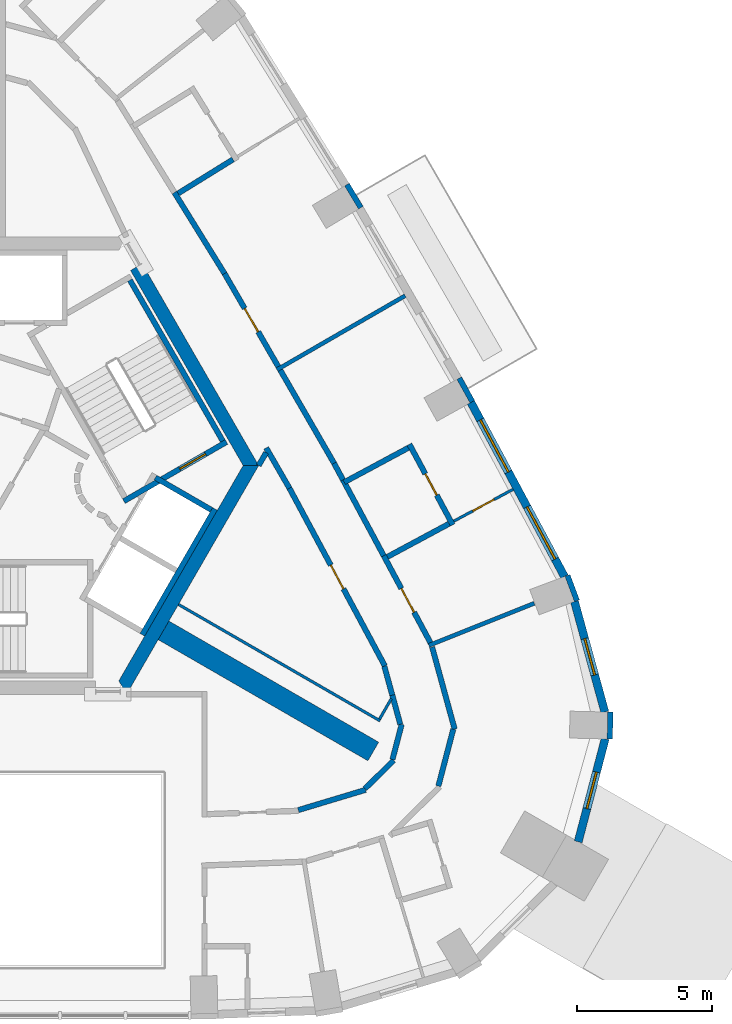
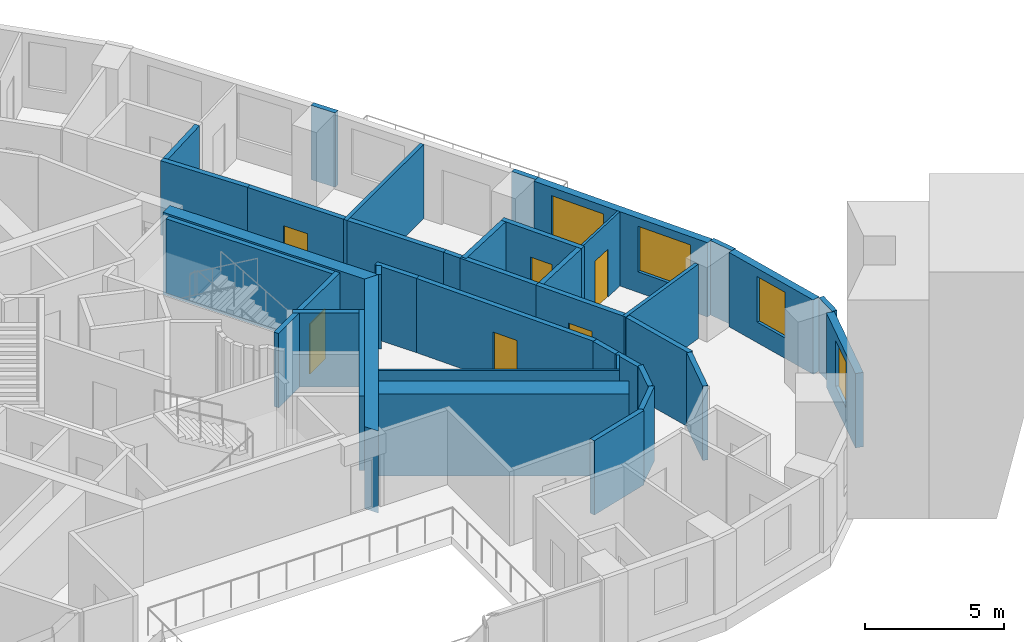
# One storey, part 7 of 11: 39 walls, 6 doors, 4 windows, 10 openings.
"""IFC4 building model written with IfcOpenShell, lengths in metres."""

from ifc_helpers import new_model, si_unit, direction, frame, frame_2d, origin, place, context, subcontext, project, spatial, polyline, rectangle, outline, extrude, material, layer, layer_set, type_object, element, fill, save


model = new_model("IFC4")

# Units and contexts
model_context = context("Model", 3, precision=1e-05, world=origin(), true_north=direction((0.0, 1.0)))
body_context = subcontext(model_context, "Body", "Model", "MODEL_VIEW")
ifc_project = project(units=[si_unit("LENGTHUNIT", "METRE"), si_unit("AREAUNIT", "SQUARE_METRE"), si_unit("VOLUMEUNIT", "CUBIC_METRE"), si_unit("PLANEANGLEUNIT", "RADIAN"), si_unit("MASSUNIT", "GRAM", prefix="KILO")], contexts=[model_context])

# Site, building, storey
site_placement = place(None, origin())
site = spatial("IfcSite", under=ifc_project, at=site_placement, CompositionType="ELEMENT")
building_placement = place(site_placement, origin())
building = spatial("IfcBuilding", under=site, at=building_placement, Name="Entoto Arch Interchange Tower", CompositionType="ELEMENT")
storey_placement = place(building_placement, frame((0.0, 0.0, 297.199951171875)))
storey = spatial("IfcBuildingStorey", under=building, at=storey_placement, Name="L69", CompositionType="ELEMENT", Elevation=297.199951171875)

# Walls
ifc_material_1 = material(Name="Concrete C40/50", Category="concrete")
ifc_layer_1 = layer(ifc_material_1, 0.800048828125)
ifc_layer_set_1 = layer_set([ifc_layer_1], Name="Concrete C40/50")
wall_type_1 = type_object("IfcWallType", Name="Buttress wall 800 C40/50", PredefinedType="SHEAR", material=ifc_layer_set_1)
wall_1_placement = place(storey_placement, frame((6.279052734375, -3.625, -0.33984375), z_axis=(0.0, 0.0, 1.0), x_axis=(0.866017533419, -0.500013631625, 0.0)))
element("IfcWall", 1, at=wall_1_placement, inside=storey, type_object=wall_type_1, Name="Buttress wall SE L69", PredefinedType="SHEAR", context=body_context, shape_type="SweptSolid", body=[
    extrude(rectangle(XDim=8.999755859375, YDim=0.800048828125, at=frame_2d((4.5, 0.0))), origin(), (0.0, 0.0, 1.0), 3.599853515625),
])
ifc_layer_2 = layer(ifc_material_1, 0.5)
ifc_layer_set_2 = layer_set([ifc_layer_2], Name="Concrete C40/50")
wall_type_2 = type_object("IfcWallType", Name="Core wall 500 C40/50", PredefinedType="SHEAR", material=ifc_layer_set_2)
wall_2_placement = place(storey_placement, frame((0.0, 0.0, -0.33984375)))
element("IfcWall", 2, at=wall_2_placement, inside=storey, type_object=wall_type_2, Name="Core wall NE L69", PredefinedType="SHEAR", context=body_context, shape_type="SweptSolid", body=[
    extrude(outline(polyline([(5.486083984375, 9.998046875), (5.052978515625, 9.748046875), (9.238037109375, 2.5), (9.81494140625, 2.5), (5.486083984375, 9.998046875)])), origin(), (0.0, 0.0, 1.0), 3.599853515625),
])
wall_3_placement = place(storey_placement, frame((0.0, 0.0, -0.33984375)))
element("IfcWall", 3, at=wall_3_placement, inside=storey, type_object=wall_type_2, Name="Core wall SE L69", PredefinedType="SHEAR", context=body_context, shape_type="SweptSolid", body=[
    extrude(outline(polyline([(4.906982421875, -6.0), (9.81494140625, 2.5), (9.238037109375, 2.5), (4.618896484375, -5.5), (4.906982421875, -6.0)])), origin(), (0.0, 0.0, 1.0), 3.599853515625),
])
ifc_layer_3 = layer(ifc_material_1, 0.199951171875)
ifc_layer_set_3 = layer_set([ifc_layer_3], Name="Concrete C40/50")
wall_type_3 = type_object("IfcWallType", Name="LIFT SHAFT WALL 200", PredefinedType="STANDARD", material=ifc_layer_set_3)
wall_4_placement = place(storey_placement, frame((5.491943359375, -3.7880859375, 0.0), z_axis=(0.0, 0.0, 1.0), x_axis=(0.500034260056, 0.866005622828, 0.0)))
element("IfcWall", 4, at=wall_4_placement, inside=storey, type_object=wall_type_3, Name="Shaft wall SE1 back", PredefinedType="STANDARD", context=body_context, shape_type="SweptSolid", body=[
    extrude(rectangle(XDim=5.3994140625, YDim=0.199951171875, at=frame_2d((2.69970703125, 0.0))), origin(), (0.0, 0.0, 1.0), 3.260009765625),
])
wall_5_placement = place(storey_placement, frame((5.97705078125, 2.052001953125, 0.0), z_axis=(0.0, 0.0, 1.0), x_axis=(0.865973769406, -0.500089422704, 0.0)))
element("IfcWall", 5, at=wall_5_placement, inside=storey, type_object=wall_type_3, Name="Shaft wall SE1 cross 3", PredefinedType="STANDARD", context=body_context, shape_type="SweptSolid", body=[
    extrude(rectangle(XDim=2.3994140625, YDim=0.199951171875, at=frame_2d((1.19970703125, 0.0))), origin(), (0.0, 0.0, 1.0), 3.260009765625),
])
ifc_material_2 = material(Name="Gypsum board partition on steel studs", Category="steel")
ifc_layer_4 = layer(ifc_material_2, 0.10009765625)
ifc_layer_set_4 = layer_set([ifc_layer_4], Name="Gypsum board partition on steel studs")
wall_type_4 = type_object("IfcWallType", Name="PARTITION 100", PredefinedType="PARTITIONING", material=ifc_layer_set_4)
wall_6_placement = place(storey_placement, frame((6.8349609375, -2.662109375, 0.0), z_axis=(0.0, 0.0, 1.0), x_axis=(0.866023427642, -0.500003422764, 0.0)))
element("IfcWall", 6, at=wall_6_placement, inside=storey, type_object=wall_type_4, Name="wall:L69:p083", PredefinedType="PARTITIONING", context=body_context, shape_type="SweptSolid", body=[
    extrude(rectangle(XDim=8.64990234375, YDim=0.10009765625, at=frame_2d((4.324951171875, 0.0))), origin(), (0.0, 0.0, 1.0), 3.260009765625),
])
wall_7_placement = place(storey_placement, frame((14.306884765625, -6.9189453125, 0.0), z_axis=(0.0, 0.0, 1.0), x_axis=(0.500305662732, 0.865848857387, 0.0)))
element("IfcWall", 7, at=wall_7_placement, inside=storey, type_object=wall_type_4, Name="wall:L69:p084", PredefinedType="PARTITIONING", context=body_context, shape_type="SweptSolid", body=[
    extrude(rectangle(XDim=0.86962890625, YDim=0.10009765625, at=frame_2d((0.434814453125, 0.0))), origin(), (0.0, 0.0, 1.0), 3.260009765625),
])

# Wall, opening, door
wall_8_placement = place(storey_placement, frame((17.06298828125, 0.431884765625, 0.0), z_axis=(0.0, 0.0, 1.0), x_axis=(0.881003472222, 0.473109799024, 0.0)))
wall_8 = element("IfcWall", 8, at=wall_8_placement, inside=storey, type_object=wall_type_4, Name="wall:L69:p099", PredefinedType="PARTITIONING", context=body_context, shape_type="SweptSolid", body=[
    extrude(rectangle(XDim=2.500732421875, YDim=0.10009765625, at=frame_2d((1.25048828125, 0.0))), origin(), (0.0, 0.0, 1.0), 3.260009765625),
])
opening_1_placement = place(wall_8_placement, frame((0.800048828125, 0.0, 0.0)))
opening_1 = element("IfcOpeningElement", 9, at=opening_1_placement, cuts=wall_8, Name="Opening L69-D07", PredefinedType="OPENING", context=body_context, shape_type="SweptSolid", body=[
    extrude(rectangle(XDim=0.89990234375, YDim=2.10009765625, at=frame_2d((0.449951171875, 1.050048828125))), frame((0.0, 0.06005859375, 0.0), z_axis=(0.0, -1.0, 0.0), x_axis=(1.0, 0.0, 0.0)), (0.0, 0.0, 1.0), 0.1201171875),
])
ifc_material_3 = material(Name="Timber door leaf in Steel S235 frame", Category="steel")
door_type_1 = type_object("IfcDoorType", Name="DOOR DS-09 900x2100", OperationType="SINGLE_SWING_LEFT", PredefinedType="DOOR", material=ifc_material_3)
door_1_placement = place(opening_1_placement, origin())
door_1 = element("IfcDoor", 10, at=door_1_placement, inside=storey, type_object=door_type_1, Name="door:L69:07", OperationType="SINGLE_SWING_LEFT", OverallHeight=2.10009765625, OverallWidth=0.89990234375, PredefinedType="DOOR", context=body_context, shape_type="SweptSolid", body=[
    extrude(rectangle(XDim=0.89990234375, YDim=2.10009765625, at=frame_2d((0.449951171875, 1.050048828125))), frame((0.0, 0.02490234375, 0.0), z_axis=(0.0, -1.0, 0.0), x_axis=(1.0, 0.0, 0.0)), (0.0, 0.0, 1.0), 0.050048828125),
])
fill(opening_1, door_1)

# Walls
ifc_layer_5 = layer(ifc_material_2, 0.14990234375)
ifc_layer_set_5 = layer_set([ifc_layer_5], Name="Gypsum board partition on steel studs")
wall_type_5 = type_object("IfcWallType", Name="PARTITION 150", PredefinedType="PARTITIONING", material=ifc_layer_set_5)
wall_9_placement = place(storey_placement, frame((16.137939453125, -4.18505859375, 0.0), z_axis=(0.0, 0.0, 1.0), x_axis=(0.928432751736, 0.371500505388, 0.0)))
element("IfcWall", 11, at=wall_9_placement, inside=storey, type_object=wall_type_5, Name="wall:L69:p098", PredefinedType="PARTITIONING", context=body_context, shape_type="SweptSolid", body=[
    extrude(rectangle(XDim=4.2158203125, YDim=0.14990234375, at=frame_2d((2.10791015625, 0.0))), origin(), (0.0, 0.0, 1.0), 3.260009765625),
])
wall_10_placement = place(storey_placement, frame((10.493896484375, 6.05908203125, 0.0), z_axis=(0.0, 0.0, 1.0), x_axis=(0.866027397988, 0.499996545922, 0.0)))
element("IfcWall", 12, at=wall_10_placement, inside=storey, type_object=wall_type_5, Name="wall:L69:p103", PredefinedType="PARTITIONING", context=body_context, shape_type="SweptSolid", body=[
    extrude(rectangle(XDim=5.5, YDim=0.14990234375, at=frame_2d((2.75, 0.0))), origin(), (0.0, 0.0, 1.0), 3.260009765625),
])
ifc_layer_6 = layer(ifc_material_2, 0.199951171875)
ifc_layer_set_6 = layer_set([ifc_layer_6], Name="Gypsum board partition on steel studs")
wall_type_6 = type_object("IfcWallType", Name="PARTITION 200", PredefinedType="PARTITIONING", material=ifc_layer_set_6)
wall_11_placement = place(storey_placement, frame((11.285888671875, -10.302978515625, 0.0), z_axis=(0.0, 0.0, 1.0), x_axis=(0.957555754851, 0.288248115955, 0.0)))
element("IfcWall", 13, at=wall_11_placement, inside=storey, type_object=wall_type_6, Name="wall:L69:p013", PredefinedType="PARTITIONING", context=body_context, shape_type="SweptSolid", body=[
    extrude(rectangle(XDim=2.612060546875, YDim=0.199951171875, at=frame_2d((1.30615234375, 0.0))), origin(), (0.0, 0.0, 1.0), 3.260009765625),
])
wall_12_placement = place(storey_placement, frame((13.761962890625, -9.509033203125, 0.0), z_axis=(0.0, 0.0, 1.0), x_axis=(0.710749293824, 0.703445407497, 0.0)))
element("IfcWall", 14, at=wall_12_placement, inside=storey, type_object=wall_type_6, Name="wall:L69:p014", PredefinedType="PARTITIONING", context=body_context, shape_type="SweptSolid", body=[
    extrude(rectangle(XDim=1.504150390625, YDim=0.199951171875, at=frame_2d((0.751953125, 0.0))), origin(), (0.0, 0.0, 1.0), 3.260009765625),
])
wall_13_placement = place(storey_placement, frame((14.784912109375, -8.425048828125, 0.0), z_axis=(0.0, 0.0, 1.0), x_axis=(0.253295121261, 0.967389053869, 0.0)))
element("IfcWall", 15, at=wall_13_placement, inside=storey, type_object=wall_type_6, Name="wall:L69:p015", PredefinedType="PARTITIONING", context=body_context, shape_type="SweptSolid", body=[
    extrude(rectangle(XDim=1.354248046875, YDim=0.199951171875, at=frame_2d((0.67724609375, 0.0))), origin(), (0.0, 0.0, 1.0), 3.260009765625),
])
wall_14_placement = place(storey_placement, frame((15.075927734375, -7.114990234375, 0.0), z_axis=(0.0, 0.0, 1.0), x_axis=(-0.264368116744, 0.964421846937, 0.0)))
element("IfcWall", 16, at=wall_14_placement, inside=storey, type_object=wall_type_6, Name="wall:L69:p016", PredefinedType="PARTITIONING", context=body_context, shape_type="SweptSolid", body=[
    extrude(rectangle(XDim=1.123046875, YDim=0.199951171875, at=frame_2d((0.5615234375, 0.0))), origin(), (0.0, 0.0, 1.0), 3.260009765625),
])
wall_15_placement = place(storey_placement, frame((14.779052734375, -6.031982421875, 0.0), z_axis=(0.0, 0.0, 1.0), x_axis=(-0.265740072272, 0.964044715762, 0.0)))
element("IfcWall", 17, at=wall_15_placement, inside=storey, type_object=wall_type_6, Name="wall:L69:p017", PredefinedType="PARTITIONING", context=body_context, shape_type="SweptSolid", body=[
    extrude(rectangle(XDim=1.1181640625, YDim=0.199951171875, at=frame_2d((0.55908203125, 0.0))), origin(), (0.0, 0.0, 1.0), 3.260009765625),
])

# Wall, opening, door
wall_16_placement = place(storey_placement, frame((14.5029296875, -4.946044921875, 0.0), z_axis=(0.0, 0.0, 1.0), x_axis=(-0.473101362557, 0.881008002658, 0.0)))
wall_16 = element("IfcWall", 18, at=wall_16_placement, inside=storey, type_object=wall_type_6, Name="wall:L69:p018", PredefinedType="PARTITIONING", context=body_context, shape_type="SweptSolid", body=[
    extrude(rectangle(XDim=7.4970703125, YDim=0.199951171875, at=frame_2d((3.74853515625, 0.0))), origin(), (0.0, 0.0, 1.0), 3.260009765625),
])
opening_2_placement = place(wall_16_placement, frame((3.2490234375, 0.0, 0.0)))
opening_2 = element("IfcOpeningElement", 19, at=opening_2_placement, cuts=wall_16, Name="Opening L69-D26", PredefinedType="OPENING", context=body_context, shape_type="SweptSolid", body=[
    extrude(rectangle(XDim=1.0, YDim=2.10009765625, at=frame_2d((0.5, 1.050048828125))), frame((0.0, 0.10986328125, 0.0), z_axis=(0.0, -1.0, 0.0), x_axis=(1.0, 0.0, 0.0)), (0.0, 0.0, 1.0), 0.219970703125),
])
door_type_2 = type_object("IfcDoorType", Name="DOOR DS-10 1000x2100", OperationType="SINGLE_SWING_LEFT", PredefinedType="DOOR", material=ifc_material_3)
door_2_placement = place(opening_2_placement, origin())
door_2 = element("IfcDoor", 20, at=door_2_placement, inside=storey, type_object=door_type_2, Name="door:L69:26", OperationType="SINGLE_SWING_LEFT", OverallHeight=2.10009765625, OverallWidth=1.0, PredefinedType="DOOR", context=body_context, shape_type="SweptSolid", body=[
    extrude(rectangle(XDim=1.0, YDim=2.10009765625, at=frame_2d((0.5, 1.050048828125))), frame((0.0, 0.02490234375, 0.0), z_axis=(0.0, -1.0, 0.0), x_axis=(1.0, 0.0, 0.0)), (0.0, 0.0, 1.0), 0.050048828125),
])
fill(opening_2, door_2)

# Walls
wall_17_placement = place(storey_placement, frame((10.9560546875, 1.658935546875, 0.0), z_axis=(0.0, 0.0, 1.0), x_axis=(-0.49992648901, 0.866067841215, 0.0)))
element("IfcWall", 21, at=wall_17_placement, inside=storey, type_object=wall_type_6, Name="wall:L69:p019", PredefinedType="PARTITIONING", context=body_context, shape_type="SweptSolid", body=[
    extrude(rectangle(XDim=1.726318359375, YDim=0.199951171875, at=frame_2d((0.86328125, 0.0))), origin(), (0.0, 0.0, 1.0), 3.260009765625),
])
wall_18_placement = place(storey_placement, frame((10.092041015625, 2.98095703125, 0.0), z_axis=(0.0, 0.0, 1.0), x_axis=(-0.501296484717, -0.865275582927, 0.0)))
element("IfcWall", 22, at=wall_18_placement, inside=storey, type_object=wall_type_6, Name="wall:L69:p020", PredefinedType="PARTITIONING", context=body_context, shape_type="SweptSolid", body=[
    extrude(rectangle(XDim=0.5546875, YDim=0.199951171875, at=frame_2d((0.27734375, 0.0))), origin(), (0.0, 0.0, 1.0), 3.260009765625),
])
wall_19_placement = place(storey_placement, frame((16.258056640625, -4.243896484375, 0.0), z_axis=(0.0, 0.0, 1.0), x_axis=(0.264930673246, -0.964267462053, 0.0)))
element("IfcWall", 23, at=wall_19_placement, inside=storey, type_object=wall_type_6, Name="wall:L69:p033", PredefinedType="PARTITIONING", context=body_context, shape_type="SweptSolid", body=[
    extrude(rectangle(XDim=3.166259765625, YDim=0.199951171875, at=frame_2d((1.5830078125, 0.0))), origin(), (0.0, 0.0, 1.0), 3.260009765625),
])
wall_20_placement = place(storey_placement, frame((17.044921875, -7.297119140625, 0.0), z_axis=(0.0, 0.0, 1.0), x_axis=(-0.253618393349, -0.967304352598, 0.0)))
element("IfcWall", 24, at=wall_20_placement, inside=storey, type_object=wall_type_6, Name="wall:L69:p034", PredefinedType="PARTITIONING", context=body_context, shape_type="SweptSolid", body=[
    extrude(rectangle(XDim=2.184326171875, YDim=0.199951171875, at=frame_2d((1.09228515625, 0.0))), origin(), (0.0, 0.0, 1.0), 3.260009765625),
])

# Wall, opening, door
wall_21_placement = place(storey_placement, frame((14.4609375, -0.85205078125, 0.0), z_axis=(0.0, 0.0, 1.0), x_axis=(0.473160180459, -0.88097641491, 0.0)))
wall_21 = element("IfcWall", 25, at=wall_21_placement, inside=storey, type_object=wall_type_6, Name="wall:L69:p036", PredefinedType="PARTITIONING", context=body_context, shape_type="SweptSolid", body=[
    extrude(rectangle(XDim=3.76611328125, YDim=0.199951171875, at=frame_2d((1.883056640625, 0.0))), origin(), (0.0, 0.0, 1.0), 3.260009765625),
])
opening_3_placement = place(wall_21_placement, frame((1.383056640625, 0.0, 0.0)))
opening_3 = element("IfcOpeningElement", 26, at=opening_3_placement, cuts=wall_21, Name="Opening L69-D06", PredefinedType="OPENING", context=body_context, shape_type="SweptSolid", body=[
    extrude(rectangle(XDim=1.0, YDim=2.10009765625, at=frame_2d((0.5, 1.050048828125))), frame((0.0, 0.10986328125, 0.0), z_axis=(0.0, -1.0, 0.0), x_axis=(1.0, 0.0, 0.0)), (0.0, 0.0, 1.0), 0.219970703125),
])
ifc_material_4 = material(Name="Fire-rated Steel S235 door and frame", Category="steel")
door_type_3 = type_object("IfcDoorType", Name="DOOR FD-10 1000x2100", OperationType="SINGLE_SWING_LEFT", PredefinedType="DOOR", material=ifc_material_4)
door_3_placement = place(opening_3_placement, origin())
door_3 = element("IfcDoor", 27, at=door_3_placement, inside=storey, type_object=door_type_3, Name="door:L69:06", OperationType="SINGLE_SWING_LEFT", OverallHeight=2.10009765625, OverallWidth=1.0, PredefinedType="DOOR", context=body_context, shape_type="SweptSolid", body=[
    extrude(rectangle(XDim=1.0, YDim=2.10009765625, at=frame_2d((0.5, 1.050048828125))), frame((0.0, 0.02490234375, 0.0), z_axis=(0.0, -1.0, 0.0), x_axis=(1.0, 0.0, 0.0)), (0.0, 0.0, 1.0), 0.050048828125),
])
fill(opening_3, door_3)

# Walls
wall_22_placement = place(storey_placement, frame((10.617919921875, 6.0439453125, 0.0), z_axis=(0.0, 0.0, 1.0), x_axis=(0.50008212199, -0.86597798544, 0.0)))
element("IfcWall", 28, at=wall_22_placement, inside=storey, type_object=wall_type_6, Name="wall:L69:p037", PredefinedType="PARTITIONING", context=body_context, shape_type="SweptSolid", body=[
    extrude(rectangle(XDim=3.995361328125, YDim=0.199951171875, at=frame_2d((1.99755859375, 0.0))), origin(), (0.0, 0.0, 1.0), 3.260009765625),
])
wall_23_placement = place(storey_placement, frame((12.615966796875, 2.583984375, 0.0), z_axis=(0.0, 0.0, 1.0), x_axis=(0.472830911699, -0.881153181315, 0.0)))
element("IfcWall", 29, at=wall_23_placement, inside=storey, type_object=wall_type_6, Name="wall:L69:p038", PredefinedType="PARTITIONING", context=body_context, shape_type="SweptSolid", body=[
    extrude(rectangle(XDim=0.7001953125, YDim=0.199951171875, at=frame_2d((0.35009765625, 0.0))), origin(), (0.0, 0.0, 1.0), 3.260009765625),
])
wall_24_placement = place(storey_placement, frame((12.947021484375, 1.967041015625, 0.0), z_axis=(0.0, 0.0, 1.0), x_axis=(0.473116768279, -0.88099972961, 0.0)))
element("IfcWall", 30, at=wall_24_placement, inside=storey, type_object=wall_type_6, Name="wall:L69:p039", PredefinedType="PARTITIONING", context=body_context, shape_type="SweptSolid", body=[
    extrude(rectangle(XDim=3.199951171875, YDim=0.199951171875, at=frame_2d((1.60009765625, 0.0))), origin(), (0.0, 0.0, 1.0), 3.260009765625),
])
wall_25_placement = place(storey_placement, frame((6.68310546875, 12.64208984375, 0.0), z_axis=(0.0, 0.0, 1.0), x_axis=(0.526290465295, -0.850304854825, 0.0)))
element("IfcWall", 31, at=wall_25_placement, inside=storey, type_object=wall_type_6, Name="wall:L69:p040", PredefinedType="PARTITIONING", context=body_context, shape_type="SweptSolid", body=[
    extrude(rectangle(XDim=3.53759765625, YDim=0.199951171875, at=frame_2d((1.768798828125, 0.0))), origin(), (0.0, 0.0, 1.0), 3.260009765625),
])

# Wall, opening, door
wall_26_placement = place(storey_placement, frame((8.544921875, 9.634033203125, 0.0), z_axis=(0.0, 0.0, 1.0), x_axis=(0.50008212199, -0.86597798544, 0.0)))
wall_26 = element("IfcWall", 32, at=wall_26_placement, inside=storey, type_object=wall_type_6, Name="wall:L69:p041", PredefinedType="PARTITIONING", context=body_context, shape_type="SweptSolid", body=[
    extrude(rectangle(XDim=3.995361328125, YDim=0.199951171875, at=frame_2d((1.99755859375, 0.0))), origin(), (0.0, 0.0, 1.0), 3.260009765625),
])
opening_4_placement = place(wall_26_placement, frame((1.498046875, 0.0, 0.0)))
opening_4 = element("IfcOpeningElement", 33, at=opening_4_placement, cuts=wall_26, Name="Opening L69-D09", PredefinedType="OPENING", context=body_context, shape_type="SweptSolid", body=[
    extrude(rectangle(XDim=1.0, YDim=2.10009765625, at=frame_2d((0.5, 1.050048828125))), frame((0.0, 0.10986328125, 0.0), z_axis=(0.0, -1.0, 0.0), x_axis=(1.0, 0.0, 0.0)), (0.0, 0.0, 1.0), 0.219970703125),
])
door_4_placement = place(opening_4_placement, origin())
door_4 = element("IfcDoor", 34, at=door_4_placement, inside=storey, type_object=door_type_3, Name="door:L69:09", OperationType="SINGLE_SWING_LEFT", OverallHeight=2.10009765625, OverallWidth=1.0, PredefinedType="DOOR", context=body_context, shape_type="SweptSolid", body=[
    extrude(rectangle(XDim=1.0, YDim=2.10009765625, at=frame_2d((0.5, 1.050048828125))), frame((0.0, 0.02490234375, 0.0), z_axis=(0.0, -1.0, 0.0), x_axis=(1.0, 0.0, 0.0)), (0.0, 0.0, 1.0), 0.050048828125),
])
fill(opening_4, door_4)

# Wall
wall_27_placement = place(storey_placement, frame((14.596923828125, -0.89306640625, 0.0), z_axis=(0.0, 0.0, 1.0), x_axis=(0.880971229432, 0.473169835168, 0.0)))
element("IfcWall", 35, at=wall_27_placement, inside=storey, type_object=wall_type_6, Name="wall:L69:p100", PredefinedType="PARTITIONING", context=body_context, shape_type="SweptSolid", body=[
    extrude(rectangle(XDim=2.599365234375, YDim=0.199951171875, at=frame_2d((1.2998046875, 0.0))), origin(), (0.0, 0.0, 1.0), 3.260009765625),
])

# Wall, opening, door
wall_28_placement = place(storey_placement, frame((17.02294921875, 0.297119140625, 0.0), z_axis=(0.0, 0.0, 1.0), x_axis=(-0.473247398557, 0.88092956572, 0.0)))
wall_28 = element("IfcWall", 36, at=wall_28_placement, inside=storey, type_object=wall_type_6, Name="wall:L69:p101", PredefinedType="PARTITIONING", context=body_context, shape_type="SweptSolid", body=[
    extrude(rectangle(XDim=3.399658203125, YDim=0.199951171875, at=frame_2d((1.69970703125, 0.0))), origin(), (0.0, 0.0, 1.0), 3.260009765625),
])
opening_5_placement = place(wall_28_placement, frame((1.25, 0.0, 0.0)))
opening_5 = element("IfcOpeningElement", 37, at=opening_5_placement, cuts=wall_28, Name="Opening L69-D08", PredefinedType="OPENING", context=body_context, shape_type="SweptSolid", body=[
    extrude(rectangle(XDim=0.89990234375, YDim=2.10009765625, at=frame_2d((0.449951171875, 1.050048828125))), frame((0.0, 0.10986328125, 0.0), z_axis=(0.0, -1.0, 0.0), x_axis=(1.0, 0.0, 0.0)), (0.0, 0.0, 1.0), 0.219970703125),
])
door_5_placement = place(opening_5_placement, origin())
door_5 = element("IfcDoor", 38, at=door_5_placement, inside=storey, type_object=door_type_1, Name="door:L69:08", OperationType="SINGLE_SWING_LEFT", OverallHeight=2.10009765625, OverallWidth=0.89990234375, PredefinedType="DOOR", context=body_context, shape_type="SweptSolid", body=[
    extrude(rectangle(XDim=0.89990234375, YDim=2.10009765625, at=frame_2d((0.449951171875, 1.050048828125))), frame((0.0, 0.02490234375, 0.0), z_axis=(0.0, -1.0, 0.0), x_axis=(1.0, 0.0, 0.0)), (0.0, 0.0, 1.0), 0.050048828125),
])
fill(opening_5, door_5)

# Walls
wall_29_placement = place(storey_placement, frame((15.373046875, 3.156982421875, 0.0), z_axis=(0.0, 0.0, 1.0), x_axis=(-0.880935111027, -0.473237076062, 0.0)))
element("IfcWall", 39, at=wall_29_placement, inside=storey, type_object=wall_type_6, Name="wall:L69:p102", PredefinedType="PARTITIONING", context=body_context, shape_type="SweptSolid", body=[
    extrude(rectangle(XDim=2.70068359375, YDim=0.199951171875, at=frame_2d((1.350341796875, 0.0))), origin(), (0.0, 0.0, 1.0), 3.260009765625),
])
wall_30_placement = place(storey_placement, frame((6.821044921875, 12.610107421875, 0.0), z_axis=(0.0, 0.0, 1.0), x_axis=(0.850254303895, 0.526372129494, 0.0)))
element("IfcWall", 40, at=wall_30_placement, inside=storey, type_object=wall_type_6, Name="wall:L69:p105", PredefinedType="PARTITIONING", context=body_context, shape_type="SweptSolid", body=[
    extrude(rectangle(XDim=2.3994140625, YDim=0.199951171875, at=frame_2d((1.19970703125, 0.0))), origin(), (0.0, 0.0, 1.0), 3.260009765625),
])

# Wall, opening, door
ifc_layer_7 = layer(ifc_material_1, 0.199951171875)
ifc_layer_set_7 = layer_set([ifc_layer_7], Name="Concrete C40/50")
wall_type_7 = type_object("IfcWallType", Name="STAIR ENCLOSURE WALL 200", PredefinedType="STANDARD", material=ifc_layer_set_7)
wall_31_placement = place(storey_placement, frame((4.805908203125, 1.176025390625, 0.0), z_axis=(0.0, 0.0, 1.0), x_axis=(0.866059941101, 0.499940174841, 0.0)))
wall_31 = element("IfcWall", 41, at=wall_31_placement, inside=storey, type_object=wall_type_7, Name="Stair wall ST-NE near", PredefinedType="STANDARD", context=body_context, shape_type="SweptSolid", body=[
    extrude(rectangle(XDim=4.400390625, YDim=0.199951171875, at=frame_2d((2.2001953125, 0.0))), origin(), (0.0, 0.0, 1.0), 3.260009765625),
])
opening_6_placement = place(wall_31_placement, frame((2.39990234375, 0.0, 0.0)))
opening_6 = element("IfcOpeningElement", 42, at=opening_6_placement, cuts=wall_31, Name="Opening SD-ST-NE-L69-E", PredefinedType="OPENING", context=body_context, shape_type="SweptSolid", body=[
    extrude(rectangle(XDim=1.10009765625, YDim=2.199951171875, at=frame_2d((0.550048828125, 1.10009765625))), frame((0.0, 0.10986328125, 0.0), z_axis=(0.0, -1.0, 0.0), x_axis=(1.0, 0.0, 0.0)), (0.0, 0.0, 1.0), 0.219970703125),
])
ifc_material_5 = material(Name="Steel S235", Category="steel")
door_type_4 = type_object("IfcDoorType", Name="STAIR DOOR SD1 1100x2200", OperationType="SINGLE_SWING_LEFT", PredefinedType="DOOR", material=ifc_material_5)
door_6_placement = place(opening_6_placement, origin())
door_6 = element("IfcDoor", 43, at=door_6_placement, inside=storey, type_object=door_type_4, Name="Stair door ST-NE L69 end", OperationType="SINGLE_SWING_LEFT", OverallHeight=2.199951171875, OverallWidth=1.10009765625, PredefinedType="DOOR", context=body_context, shape_type="SweptSolid", body=[
    extrude(rectangle(XDim=1.10009765625, YDim=2.199951171875, at=frame_2d((0.550048828125, 1.10009765625))), frame((0.0, 0.02490234375, 0.0), z_axis=(0.0, -1.0, 0.0), x_axis=(1.0, 0.0, 0.0)), (0.0, 0.0, 1.0), 0.050048828125),
])
fill(opening_6, door_6)

# Wall
wall_32_placement = place(storey_placement, frame((8.47998046875, 3.412109375, 0.0), z_axis=(0.0, 0.0, 1.0), x_axis=(-0.499978703459, 0.866037698999, 0.0)))
element("IfcWall", 44, at=wall_32_placement, inside=storey, type_object=wall_type_7, Name="Stair wall ST-NE back", PredefinedType="STANDARD", context=body_context, shape_type="SweptSolid", body=[
    extrude(rectangle(XDim=6.900146484375, YDim=0.199951171875, at=frame_2d((3.4501953125, 0.0))), origin(), (0.0, 0.0, 1.0), 3.260009765625),
])

# Wall, opening, window
ifc_material_6 = material(Name="Welded tuff (ignimbrite) cladding, warm buff", Category="masonry")
ifc_layer_8 = layer(ifc_material_6, 0.300048828125)
ifc_layer_set_8 = layer_set([ifc_layer_8], Name="Welded tuff (ignimbrite) cladding, warm buff")
wall_type_8 = type_object("IfcWallType", Name="STONE INFILL WALL 300", PredefinedType="STANDARD", material=ifc_layer_set_8)
wall_33_placement = place(storey_placement, frame((21.68603515625, -11.48193359375, 0.0), z_axis=(0.0, 0.0, 1.0), x_axis=(0.253402039956, 0.96736105263, 0.0)))
wall_33 = element("IfcWall", 45, at=wall_33_placement, inside=storey, type_object=wall_type_8, Name="Facade wall SE-03 L69", PredefinedType="STANDARD", context=body_context, shape_type="SweptSolid", body=[
    extrude(rectangle(XDim=3.9541015625, YDim=0.300048828125, at=frame_2d((1.97705078125, 0.0))), origin(), (0.0, 0.0, 1.0), 3.260009765625),
])
opening_7_placement = place(wall_33_placement, frame((1.277099609375, 0.0, 0.89990234375)))
opening_7 = element("IfcOpeningElement", 46, at=opening_7_placement, cuts=wall_33, Name="Opening WH-B", PredefinedType="OPENING", context=body_context, shape_type="SweptSolid", body=[
    extrude(rectangle(XDim=1.39990234375, YDim=2.0, at=frame_2d((0.699951171875, 1.0))), frame((0.0, 0.16015625, 0.0), z_axis=(0.0, -1.0, 0.0), x_axis=(1.0, 0.0, 0.0)), (0.0, 0.0, 1.0), 0.320068359375),
])
ifc_material_7 = material(Name="Clear glass, low-e double glazed", Category="glass")
window_type_1 = type_object("IfcWindowType", Name="WINDOW WH-B 1400x2000", PartitioningType="DOUBLE_PANEL_VERTICAL", PredefinedType="WINDOW", material=ifc_material_7)
window_1_placement = place(opening_7_placement, origin())
window_1 = element("IfcWindow", 47, at=window_1_placement, inside=storey, type_object=window_type_1, Name="Window WH-B SE-03 L69", OverallHeight=2.0, OverallWidth=1.39990234375, PartitioningType="SINGLE_PANEL", PredefinedType="WINDOW", context=body_context, shape_type="SweptSolid", body=[
    extrude(rectangle(XDim=1.39990234375, YDim=2.0, at=frame_2d((0.699951171875, 1.0))), frame((0.0, 0.030029296875, 0.0), z_axis=(0.0, -1.0, 0.0), x_axis=(1.0, 0.0, 0.0)), (0.0, 0.0, 1.0), 0.06005859375),
])
fill(opening_7, window_1)

wall_34_placement = place(storey_placement, frame((22.677001953125, -6.658935546875, 0.0), z_axis=(0.0, 0.0, 1.0), x_axis=(-0.264892613927, 0.964277917971, 0.0)))
wall_34 = element("IfcWall", 48, at=wall_34_placement, inside=storey, type_object=wall_type_8, Name="Facade wall SE-04 L69", PredefinedType="STANDARD", context=body_context, shape_type="SweptSolid", body=[
    extrude(rectangle(XDim=4.258056640625, YDim=0.300048828125, at=frame_2d((2.12890625, 0.0))), origin(), (0.0, 0.0, 1.0), 3.260009765625),
])
opening_8_placement = place(wall_34_placement, frame((1.428955078125, 0.0, 0.89990234375)))
opening_8 = element("IfcOpeningElement", 49, at=opening_8_placement, cuts=wall_34, Name="Opening WH-B", PredefinedType="OPENING", context=body_context, shape_type="SweptSolid", body=[
    extrude(rectangle(XDim=1.39990234375, YDim=2.0, at=frame_2d((0.699951171875, 1.0))), frame((0.0, 0.16015625, 0.0), z_axis=(0.0, -1.0, 0.0), x_axis=(1.0, 0.0, 0.0)), (0.0, 0.0, 1.0), 0.320068359375),
])
window_2_placement = place(opening_8_placement, origin())
window_2 = element("IfcWindow", 50, at=window_2_placement, inside=storey, type_object=window_type_1, Name="Window WH-B SE-04 L69", OverallHeight=2.0, OverallWidth=1.39990234375, PartitioningType="SINGLE_PANEL", PredefinedType="WINDOW", context=body_context, shape_type="SweptSolid", body=[
    extrude(rectangle(XDim=1.39990234375, YDim=2.0, at=frame_2d((0.699951171875, 1.0))), frame((0.0, 0.030029296875, 0.0), z_axis=(0.0, -1.0, 0.0), x_axis=(1.0, 0.0, 0.0)), (0.0, 0.0, 1.0), 0.06005859375),
])
fill(opening_8, window_2)

# Wall, openings, windows
wall_35_placement = place(storey_placement, frame((21.177001953125, -1.6259765625, 0.0), z_axis=(0.0, 0.0, 1.0), x_axis=(-0.473225522632, 0.880941317415, 0.0)))
wall_35 = element("IfcWall", 51, at=wall_35_placement, inside=storey, type_object=wall_type_8, Name="Facade wall NE-01 L69", PredefinedType="STANDARD", context=body_context, shape_type="SweptSolid", body=[
    extrude(rectangle(XDim=7.345458984375, YDim=0.300048828125, at=frame_2d((3.6728515625, 0.0))), origin(), (0.0, 0.0, 1.0), 3.260009765625),
])
opening_9_placement = place(wall_35_placement, frame((0.736083984375, 0.0, 0.89990234375)))
opening_9 = element("IfcOpeningElement", 52, at=opening_9_placement, cuts=wall_35, Name="Opening WH-A", PredefinedType="OPENING", context=body_context, shape_type="SweptSolid", body=[
    extrude(rectangle(XDim=2.199951171875, YDim=2.0, at=frame_2d((1.10009765625, 1.0))), frame((0.0, 0.16015625, 0.0), z_axis=(0.0, -1.0, 0.0), x_axis=(1.0, 0.0, 0.0)), (0.0, 0.0, 1.0), 0.320068359375),
])
opening_10_placement = place(wall_35_placement, frame((4.408935546875, 0.0, 0.89990234375)))
opening_10 = element("IfcOpeningElement", 53, at=opening_10_placement, cuts=wall_35, Name="Opening WH-A", PredefinedType="OPENING", context=body_context, shape_type="SweptSolid", body=[
    extrude(rectangle(XDim=2.199951171875, YDim=2.0, at=frame_2d((1.10009765625, 1.0))), frame((0.0, 0.16015625, 0.0), z_axis=(0.0, -1.0, 0.0), x_axis=(1.0, 0.0, 0.0)), (0.0, 0.0, 1.0), 0.320068359375),
])
window_type_2 = type_object("IfcWindowType", Name="WINDOW WH-A 2200x2000", PartitioningType="DOUBLE_PANEL_VERTICAL", PredefinedType="WINDOW", material=ifc_material_7)
window_3_placement = place(opening_9_placement, origin())
window_3 = element("IfcWindow", 54, at=window_3_placement, inside=storey, type_object=window_type_2, Name="Window WH-A NE-01 L69", OverallHeight=2.0, OverallWidth=2.199951171875, PartitioningType="SINGLE_PANEL", PredefinedType="WINDOW", context=body_context, shape_type="SweptSolid", body=[
    extrude(rectangle(XDim=2.199951171875, YDim=2.0, at=frame_2d((1.10009765625, 1.0))), frame((0.0, 0.030029296875, 0.0), z_axis=(0.0, -1.0, 0.0), x_axis=(1.0, 0.0, 0.0)), (0.0, 0.0, 1.0), 0.06005859375),
])
fill(opening_9, window_3)
window_4_placement = place(opening_10_placement, origin())
window_4 = element("IfcWindow", 55, at=window_4_placement, inside=storey, type_object=window_type_2, Name="Window WH-A NE-01 L69", OverallHeight=2.0, OverallWidth=2.199951171875, PartitioningType="SINGLE_PANEL", PredefinedType="WINDOW", context=body_context, shape_type="SweptSolid", body=[
    extrude(rectangle(XDim=2.199951171875, YDim=2.0, at=frame_2d((1.10009765625, 1.0))), frame((0.0, 0.030029296875, 0.0), z_axis=(0.0, -1.0, 0.0), x_axis=(1.0, 0.0, 0.0)), (0.0, 0.0, 1.0), 0.06005859375),
])
fill(opening_10, window_4)

# Walls
ifc_layer_9 = layer(ifc_material_6, 0.199951171875)
ifc_layer_set_9 = layer_set([ifc_layer_9], Name="Welded tuff (ignimbrite) cladding, warm buff")
wall_type_9 = type_object("IfcWallType", Name="STONE PIER CLADDING 200", PredefinedType="STANDARD", material=ifc_layer_set_9)
wall_36_placement = place(storey_placement, frame((21.638916015625, -2.52001953125, 0.0), z_axis=(0.0, 0.0, 1.0), x_axis=(-0.350962844851, 0.936389385637, 0.0)))
element("IfcWall", 56, at=wall_36_placement, inside=storey, type_object=wall_type_9, Name="Stone pier NE01 L69", PredefinedType="STANDARD", context=body_context, shape_type="SweptSolid", body=[
    extrude(rectangle(XDim=0.99951171875, YDim=0.199951171875, at=frame_2d((0.499755859375, 0.0))), origin(), (0.0, 0.0, 1.0), 3.260009765625),
])
for number, where, z_axis, x_axis, name in (
    (57, (17.751953125, 4.8720703125, 0.0), (0.0, 0.0, 1.0), (-0.485850211157, 0.874042088414, 0.0), "Stone pier NE02 L69"),
    (58, (13.60888671875, 12.080078125, 0.0), (0.0, 0.0, 1.0), (-0.513885310016, 0.857858897576, 0.0), "Stone pier NE03 L69"),
):
    element("IfcWall", number, at=place(storey_placement, frame(where, z_axis=z_axis, x_axis=x_axis)), inside=storey, type_object=wall_type_9, Name=name, PredefinedType="STANDARD", context=body_context, shape_type="SweptSolid", body=[
        extrude(rectangle(XDim=1.0, YDim=0.199951171875, at=frame_2d((0.5, 0.0))), origin(), (0.0, 0.0, 1.0), 3.260009765625),
    ])
wall_37_placement = place(storey_placement, frame((22.860107421875, -7.662109375, 0.0), z_axis=(0.0, 0.0, 1.0), x_axis=(0.023942303888, 0.999713341956, 0.0)))
element("IfcWall", 59, at=wall_37_placement, inside=storey, type_object=wall_type_9, Name="Stone pier SE3 L69", PredefinedType="STANDARD", context=body_context, shape_type="SweptSolid", body=[
    extrude(rectangle(XDim=0.999267578125, YDim=0.199951171875, at=frame_2d((0.49951171875, 0.0))), origin(), (0.0, 0.0, 1.0), 3.260009765625),
])

save(model, "model.ifc")
